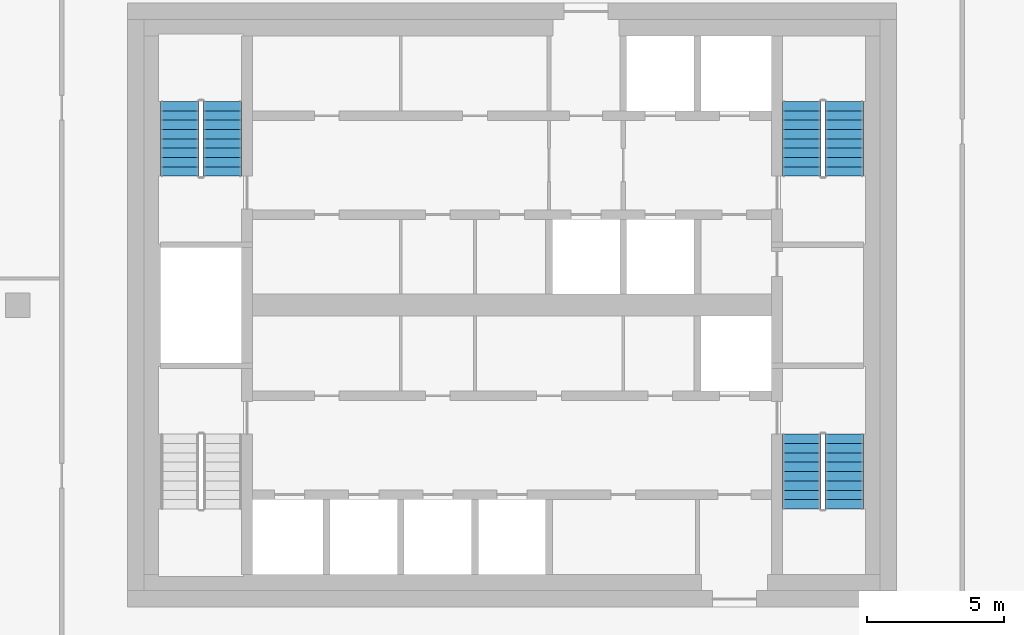
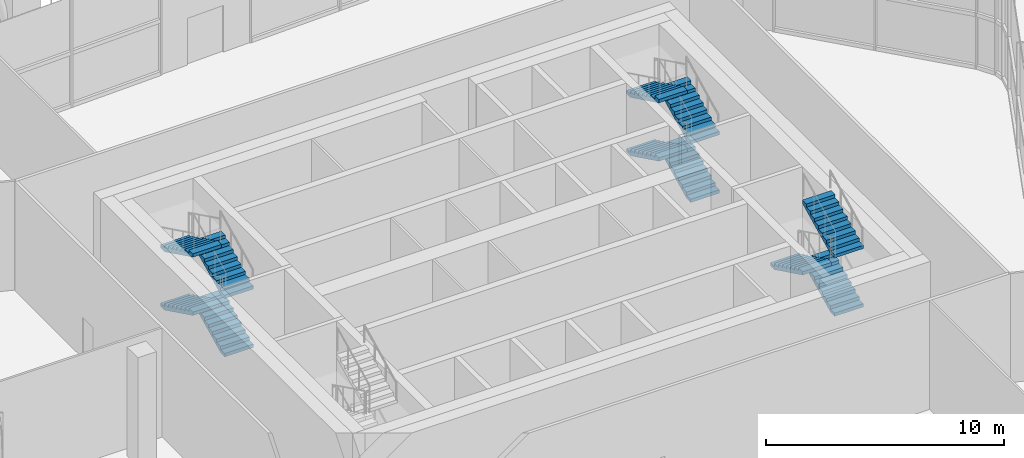
# One storey, part 15 of 20: 11 stair flights, 3 elements without a shape of their own.
"""IFC4 building model written with IfcOpenShell, lengths in metres."""

from ifc_helpers import new_model, si_unit, direction, frame, origin, place, context, subcontext, project, spatial, polyline, outline, extrude, material, layer, layer_set, type_object, element, aggregate, save


model = new_model("IFC4")

# Units and contexts
model_context = context("Model", 3, precision=1e-05, world=origin(), true_north=direction((0.0, 1.0)))
body_context = subcontext(model_context, "Body", "Model", "MODEL_VIEW")
ifc_project = project(units=[si_unit("LENGTHUNIT", "METRE"), si_unit("AREAUNIT", "SQUARE_METRE"), si_unit("VOLUMEUNIT", "CUBIC_METRE"), si_unit("PLANEANGLEUNIT", "RADIAN"), si_unit("MASSUNIT", "GRAM", prefix="KILO")], contexts=[model_context])

# Site, building, storey
site_placement = place(None, origin())
site = spatial("IfcSite", under=ifc_project, at=site_placement, CompositionType="ELEMENT")
building_placement = place(site_placement, origin())
building = spatial("IfcBuilding", under=site, at=building_placement, Name="Dongbaek Canopy Tower", CompositionType="ELEMENT")
storey_placement = place(building_placement, frame((0.0, 0.0, 353.0)))
storey = spatial("IfcBuildingStorey", under=building, at=storey_placement, Name="L76", CompositionType="ELEMENT", Elevation=353.0)

# Stair, stair flights
ifc_material_1 = material(Name="Concrete C40/50", Category="concrete")
stair_type = type_object("IfcStairType", Name="Core exit stair", PredefinedType="HALF_TURN_STAIR", material=ifc_material_1)
stair_1_placement = place(storey_placement, origin())
stair_1 = element("IfcStair", 1, at=stair_1_placement, inside=storey, type_object=stair_type, Name="L76 exit stair A", PredefinedType="HALF_TURN_STAIR")
ifc_material_2 = material(Name="Concrete C40/50", Category="concrete")
ifc_layer = layer(ifc_material_2, 0.14990234375)
ifc_layer_set = layer_set([ifc_layer], Name="Core stair flight 150 waist")
stair_flight_type = type_object("IfcStairFlightType", Name="Core stair flight 150 waist", PredefinedType="STRAIGHT", material=ifc_layer_set)
stair_flight_1_placement = place(storey_placement, frame((12.10009765625, 4.699951171875, 0.0), z_axis=(0.0, 0.0, 1.0), x_axis=(0.0, 1.0, 0.0)))
stair_flight_1 = element("IfcStairFlight", 2, at=stair_flight_1_placement, type_object=stair_flight_type, Name="ST-A flight 1", NumberOfRisers=9, NumberOfTreads=8, PredefinedType="STRAIGHT", RiserHeight=0.166666667, TreadLength=0.34, context=body_context, shape_type="SweptSolid", body=[
    extrude(outline(polyline([(0.0, 0.0), (0.0, 0.166748046875), (0.340087890625, 0.166748046875), (0.340087890625, 0.333251953125), (0.679931640625, 0.333251953125), (0.679931640625, 0.5), (1.02001953125, 0.5), (1.02001953125, 0.666748046875), (1.360107421875, 0.666748046875), (1.360107421875, 0.833251953125), (1.699951171875, 0.833251953125), (1.699951171875, 1.0), (2.0400390625, 1.0), (2.0400390625, 1.166748046875), (2.3798828125, 1.166748046875), (2.3798828125, 1.333251953125), (2.719970703125, 1.333251953125), (2.719970703125, 1.5), (2.719970703125, 1.16650390625), (0.340576171875, 0.0), (0.0, 0.0)])), frame((0.0, 0.699951171875, 0.0), z_axis=(0.0, -1.0, 0.0), x_axis=(1.0, 0.0, 0.0)), (0.0, 0.0, 1.0), 1.39990234375),
])
stair_flight_2_placement = place(storey_placement, frame((10.550048828125, 7.419921875, 1.5), z_axis=(0.0, 0.0, 1.0), x_axis=(0.0, -1.0, 0.0)))
stair_flight_2 = element("IfcStairFlight", 3, at=stair_flight_2_placement, type_object=stair_flight_type, Name="ST-A flight 2", NumberOfRisers=9, NumberOfTreads=8, PredefinedType="STRAIGHT", RiserHeight=0.166666667, TreadLength=0.34, context=body_context, shape_type="SweptSolid", body=[
    extrude(outline(polyline([(0.0, 0.0), (0.0, 0.166748046875), (0.340087890625, 0.166748046875), (0.340087890625, 0.333251953125), (0.679931640625, 0.333251953125), (0.679931640625, 0.5), (1.02001953125, 0.5), (1.02001953125, 0.666748046875), (1.360107421875, 0.666748046875), (1.360107421875, 0.833251953125), (1.699951171875, 0.833251953125), (1.699951171875, 1.0), (2.0400390625, 1.0), (2.0400390625, 1.166748046875), (2.3798828125, 1.166748046875), (2.3798828125, 1.333251953125), (2.719970703125, 1.333251953125), (2.719970703125, 1.5), (2.719970703125, 1.16650390625), (0.340576171875, 0.0), (0.0, 0.0)])), frame((0.0, 0.699951171875, 0.0), z_axis=(0.0, -1.0, 0.0), x_axis=(1.0, 0.0, 0.0)), (0.0, 0.0, 1.0), 1.39990234375),
])
stair_flight_3_placement = place(storey_placement, frame((12.10009765625, 4.699951171875, 3.0), z_axis=(0.0, 0.0, 1.0), x_axis=(0.0, 1.0, 0.0)))
stair_flight_3 = element("IfcStairFlight", 4, at=stair_flight_3_placement, type_object=stair_flight_type, Name="ST-A flight 3", NumberOfRisers=9, NumberOfTreads=8, PredefinedType="STRAIGHT", RiserHeight=0.166666667, TreadLength=0.34, context=body_context, shape_type="SweptSolid", body=[
    extrude(outline(polyline([(0.0, 0.0), (0.0, 0.166748046875), (0.340087890625, 0.166748046875), (0.340087890625, 0.333251953125), (0.679931640625, 0.333251953125), (0.679931640625, 0.5), (1.02001953125, 0.5), (1.02001953125, 0.666748046875), (1.360107421875, 0.666748046875), (1.360107421875, 0.833251953125), (1.699951171875, 0.833251953125), (1.699951171875, 1.0), (2.0400390625, 1.0), (2.0400390625, 1.166748046875), (2.3798828125, 1.166748046875), (2.3798828125, 1.333251953125), (2.719970703125, 1.333251953125), (2.719970703125, 1.5), (2.719970703125, 1.16650390625), (0.340576171875, 0.0), (0.0, 0.0)])), frame((0.0, 0.699951171875, 0.0), z_axis=(0.0, -1.0, 0.0), x_axis=(1.0, 0.0, 0.0)), (0.0, 0.0, 1.0), 1.39990234375),
])
stair_flight_4_placement = place(storey_placement, frame((10.550048828125, 7.419921875, 4.5), z_axis=(0.0, 0.0, 1.0), x_axis=(0.0, -1.0, 0.0)))
stair_flight_4 = element("IfcStairFlight", 5, at=stair_flight_4_placement, type_object=stair_flight_type, Name="ST-A flight 4", NumberOfRisers=9, NumberOfTreads=8, PredefinedType="STRAIGHT", RiserHeight=0.166666667, TreadLength=0.34, context=body_context, shape_type="SweptSolid", body=[
    extrude(outline(polyline([(0.0, 0.0), (0.0, 0.166748046875), (0.340087890625, 0.166748046875), (0.340087890625, 0.333251953125), (0.679931640625, 0.333251953125), (0.679931640625, 0.5), (1.02001953125, 0.5), (1.02001953125, 0.666748046875), (1.360107421875, 0.666748046875), (1.360107421875, 0.833251953125), (1.699951171875, 0.833251953125), (1.699951171875, 1.0), (2.0400390625, 1.0), (2.0400390625, 1.166748046875), (2.3798828125, 1.166748046875), (2.3798828125, 1.333251953125), (2.719970703125, 1.333251953125), (2.719970703125, 1.5), (2.719970703125, 1.16650390625), (0.340576171875, 0.0), (0.0, 0.0)])), frame((0.0, 0.699951171875, 0.0), z_axis=(0.0, -1.0, 0.0), x_axis=(1.0, 0.0, 0.0)), (0.0, 0.0, 1.0), 1.39990234375),
])
aggregate(stair_1, [stair_flight_1, stair_flight_2, stair_flight_3, stair_flight_4])

stair_2_placement = place(storey_placement, origin())
stair_2 = element("IfcStair", 6, at=stair_2_placement, inside=storey, type_object=stair_type, Name="L76 exit stair C", PredefinedType="HALF_TURN_STAIR")
stair_flight_5_placement = place(storey_placement, frame((-10.550048828125, 4.699951171875, 0.0), z_axis=(0.0, 0.0, 1.0), x_axis=(0.0, 1.0, 0.0)))
stair_flight_5 = element("IfcStairFlight", 7, at=stair_flight_5_placement, type_object=stair_flight_type, Name="ST-C flight 1", NumberOfRisers=9, NumberOfTreads=8, PredefinedType="STRAIGHT", RiserHeight=0.166666667, TreadLength=0.34, context=body_context, shape_type="SweptSolid", body=[
    extrude(outline(polyline([(0.0, 0.0), (0.0, 0.166748046875), (0.340087890625, 0.166748046875), (0.340087890625, 0.333251953125), (0.679931640625, 0.333251953125), (0.679931640625, 0.5), (1.02001953125, 0.5), (1.02001953125, 0.666748046875), (1.360107421875, 0.666748046875), (1.360107421875, 0.833251953125), (1.699951171875, 0.833251953125), (1.699951171875, 1.0), (2.0400390625, 1.0), (2.0400390625, 1.166748046875), (2.3798828125, 1.166748046875), (2.3798828125, 1.333251953125), (2.719970703125, 1.333251953125), (2.719970703125, 1.5), (2.719970703125, 1.16650390625), (0.340576171875, 0.0), (0.0, 0.0)])), frame((0.0, 0.699951171875, 0.0), z_axis=(0.0, -1.0, 0.0), x_axis=(1.0, 0.0, 0.0)), (0.0, 0.0, 1.0), 1.39990234375),
])
stair_flight_6_placement = place(storey_placement, frame((-12.10009765625, 7.419921875, 1.5), z_axis=(0.0, 0.0, 1.0), x_axis=(0.0, -1.0, 0.0)))
stair_flight_6 = element("IfcStairFlight", 8, at=stair_flight_6_placement, type_object=stair_flight_type, Name="ST-C flight 2", NumberOfRisers=9, NumberOfTreads=8, PredefinedType="STRAIGHT", RiserHeight=0.166666667, TreadLength=0.34, context=body_context, shape_type="SweptSolid", body=[
    extrude(outline(polyline([(0.0, 0.0), (0.0, 0.166748046875), (0.340087890625, 0.166748046875), (0.340087890625, 0.333251953125), (0.679931640625, 0.333251953125), (0.679931640625, 0.5), (1.02001953125, 0.5), (1.02001953125, 0.666748046875), (1.360107421875, 0.666748046875), (1.360107421875, 0.833251953125), (1.699951171875, 0.833251953125), (1.699951171875, 1.0), (2.0400390625, 1.0), (2.0400390625, 1.166748046875), (2.3798828125, 1.166748046875), (2.3798828125, 1.333251953125), (2.719970703125, 1.333251953125), (2.719970703125, 1.5), (2.719970703125, 1.16650390625), (0.340576171875, 0.0), (0.0, 0.0)])), frame((0.0, 0.699951171875, 0.0), z_axis=(0.0, -1.0, 0.0), x_axis=(1.0, 0.0, 0.0)), (0.0, 0.0, 1.0), 1.39990234375),
])
stair_flight_7_placement = place(storey_placement, frame((-10.550048828125, 4.699951171875, 3.0), z_axis=(0.0, 0.0, 1.0), x_axis=(0.0, 1.0, 0.0)))
stair_flight_7 = element("IfcStairFlight", 9, at=stair_flight_7_placement, type_object=stair_flight_type, Name="ST-C flight 3", NumberOfRisers=9, NumberOfTreads=8, PredefinedType="STRAIGHT", RiserHeight=0.166666667, TreadLength=0.34, context=body_context, shape_type="SweptSolid", body=[
    extrude(outline(polyline([(0.0, 0.0), (0.0, 0.166748046875), (0.340087890625, 0.166748046875), (0.340087890625, 0.333251953125), (0.679931640625, 0.333251953125), (0.679931640625, 0.5), (1.02001953125, 0.5), (1.02001953125, 0.666748046875), (1.360107421875, 0.666748046875), (1.360107421875, 0.833251953125), (1.699951171875, 0.833251953125), (1.699951171875, 1.0), (2.0400390625, 1.0), (2.0400390625, 1.166748046875), (2.3798828125, 1.166748046875), (2.3798828125, 1.333251953125), (2.719970703125, 1.333251953125), (2.719970703125, 1.5), (2.719970703125, 1.16650390625), (0.340576171875, 0.0), (0.0, 0.0)])), frame((0.0, 0.699951171875, 0.0), z_axis=(0.0, -1.0, 0.0), x_axis=(1.0, 0.0, 0.0)), (0.0, 0.0, 1.0), 1.39990234375),
])
stair_flight_8_placement = place(storey_placement, frame((-12.10009765625, 7.419921875, 4.5), z_axis=(0.0, 0.0, 1.0), x_axis=(0.0, -1.0, 0.0)))
stair_flight_8 = element("IfcStairFlight", 10, at=stair_flight_8_placement, type_object=stair_flight_type, Name="ST-C flight 4", NumberOfRisers=9, NumberOfTreads=8, PredefinedType="STRAIGHT", RiserHeight=0.166666667, TreadLength=0.34, context=body_context, shape_type="SweptSolid", body=[
    extrude(outline(polyline([(0.0, 0.0), (0.0, 0.166748046875), (0.340087890625, 0.166748046875), (0.340087890625, 0.333251953125), (0.679931640625, 0.333251953125), (0.679931640625, 0.5), (1.02001953125, 0.5), (1.02001953125, 0.666748046875), (1.360107421875, 0.666748046875), (1.360107421875, 0.833251953125), (1.699951171875, 0.833251953125), (1.699951171875, 1.0), (2.0400390625, 1.0), (2.0400390625, 1.166748046875), (2.3798828125, 1.166748046875), (2.3798828125, 1.333251953125), (2.719970703125, 1.333251953125), (2.719970703125, 1.5), (2.719970703125, 1.16650390625), (0.340576171875, 0.0), (0.0, 0.0)])), frame((0.0, 0.699951171875, 0.0), z_axis=(0.0, -1.0, 0.0), x_axis=(1.0, 0.0, 0.0)), (0.0, 0.0, 1.0), 1.39990234375),
])
aggregate(stair_2, [stair_flight_5, stair_flight_6, stair_flight_7, stair_flight_8])

stair_3_placement = place(storey_placement, origin())
stair_3 = element("IfcStair", 11, at=stair_3_placement, inside=storey, type_object=stair_type, Name="L76 exit stair B", PredefinedType="HALF_TURN_STAIR")
stair_flight_9_placement = place(storey_placement, frame((12.10009765625, -7.419921875, 1.5), z_axis=(0.0, 0.0, 1.0), x_axis=(0.0, 1.0, 0.0)))
stair_flight_9 = element("IfcStairFlight", 12, at=stair_flight_9_placement, type_object=stair_flight_type, Name="ST-B flight 2", NumberOfRisers=9, NumberOfTreads=8, PredefinedType="STRAIGHT", RiserHeight=0.166666667, TreadLength=0.34, context=body_context, shape_type="SweptSolid", body=[
    extrude(outline(polyline([(0.0, 0.0), (0.0, 0.166748046875), (0.340087890625, 0.166748046875), (0.340087890625, 0.333251953125), (0.679931640625, 0.333251953125), (0.679931640625, 0.5), (1.02001953125, 0.5), (1.02001953125, 0.666748046875), (1.360107421875, 0.666748046875), (1.360107421875, 0.833251953125), (1.699951171875, 0.833251953125), (1.699951171875, 1.0), (2.0400390625, 1.0), (2.0400390625, 1.166748046875), (2.3798828125, 1.166748046875), (2.3798828125, 1.333251953125), (2.719970703125, 1.333251953125), (2.719970703125, 1.5), (2.719970703125, 1.16650390625), (0.340576171875, 0.0), (0.0, 0.0)])), frame((0.0, 0.699951171875, 0.0), z_axis=(0.0, -1.0, 0.0), x_axis=(1.0, 0.0, 0.0)), (0.0, 0.0, 1.0), 1.39990234375),
])
stair_flight_10_placement = place(storey_placement, frame((10.550048828125, -4.699951171875, 3.0), z_axis=(0.0, 0.0, 1.0), x_axis=(0.0, -1.0, 0.0)))
stair_flight_10 = element("IfcStairFlight", 13, at=stair_flight_10_placement, type_object=stair_flight_type, Name="ST-B flight 3", NumberOfRisers=9, NumberOfTreads=8, PredefinedType="STRAIGHT", RiserHeight=0.166666667, TreadLength=0.34, context=body_context, shape_type="SweptSolid", body=[
    extrude(outline(polyline([(0.0, 0.0), (0.0, 0.166748046875), (0.340087890625, 0.166748046875), (0.340087890625, 0.333251953125), (0.679931640625, 0.333251953125), (0.679931640625, 0.5), (1.02001953125, 0.5), (1.02001953125, 0.666748046875), (1.360107421875, 0.666748046875), (1.360107421875, 0.833251953125), (1.699951171875, 0.833251953125), (1.699951171875, 1.0), (2.0400390625, 1.0), (2.0400390625, 1.166748046875), (2.3798828125, 1.166748046875), (2.3798828125, 1.333251953125), (2.719970703125, 1.333251953125), (2.719970703125, 1.5), (2.719970703125, 1.16650390625), (0.340576171875, 0.0), (0.0, 0.0)])), frame((0.0, 0.699951171875, 0.0), z_axis=(0.0, -1.0, 0.0), x_axis=(1.0, 0.0, 0.0)), (0.0, 0.0, 1.0), 1.39990234375),
])
stair_flight_11_placement = place(storey_placement, frame((12.10009765625, -7.419921875, 4.5), z_axis=(0.0, 0.0, 1.0), x_axis=(0.0, 1.0, 0.0)))
stair_flight_11 = element("IfcStairFlight", 14, at=stair_flight_11_placement, type_object=stair_flight_type, Name="ST-B flight 4", NumberOfRisers=9, NumberOfTreads=8, PredefinedType="STRAIGHT", RiserHeight=0.166666667, TreadLength=0.34, context=body_context, shape_type="SweptSolid", body=[
    extrude(outline(polyline([(0.0, 0.0), (0.0, 0.166748046875), (0.340087890625, 0.166748046875), (0.340087890625, 0.333251953125), (0.679931640625, 0.333251953125), (0.679931640625, 0.5), (1.02001953125, 0.5), (1.02001953125, 0.666748046875), (1.360107421875, 0.666748046875), (1.360107421875, 0.833251953125), (1.699951171875, 0.833251953125), (1.699951171875, 1.0), (2.0400390625, 1.0), (2.0400390625, 1.166748046875), (2.3798828125, 1.166748046875), (2.3798828125, 1.333251953125), (2.719970703125, 1.333251953125), (2.719970703125, 1.5), (2.719970703125, 1.16650390625), (0.340576171875, 0.0), (0.0, 0.0)])), frame((0.0, 0.699951171875, 0.0), z_axis=(0.0, -1.0, 0.0), x_axis=(1.0, 0.0, 0.0)), (0.0, 0.0, 1.0), 1.39990234375),
])
aggregate(stair_3, [stair_flight_9, stair_flight_10, stair_flight_11])

save(model, "model.ifc")
